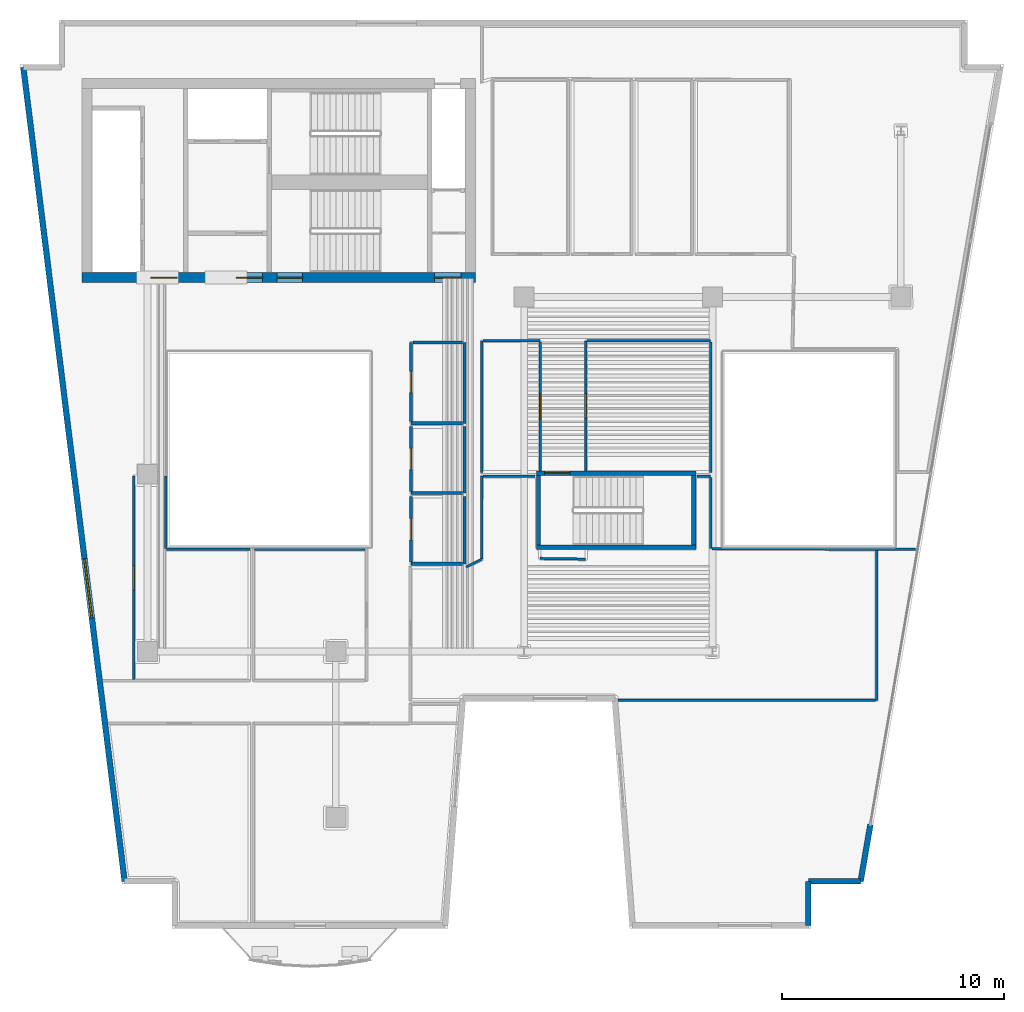
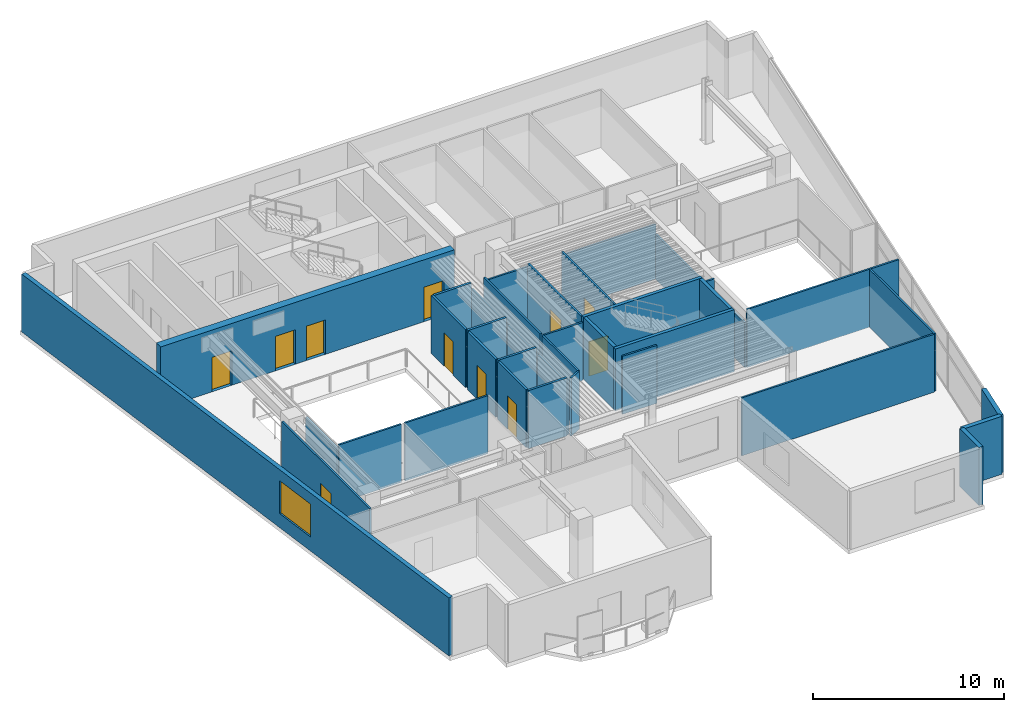
# One storey, part 4 of 9: 38 walls, 11 doors, 1 window, 12 openings.
"""IFC4 building model written with IfcOpenShell, lengths in metres."""

import ifcopenshell
import ifcopenshell.guid

model = None  # the IFC model being written
_history = None  # IfcOwnerHistory: only IFC2X3 demands one
_inside = {}  # id of a spatial element -> (the spatial element, [elements in it])
_under = {}  # id of a project, library or spatial element -> (it, [spatial elements below it])
_declared = {}  # id of a project -> (the project, [libraries it declares])
_typed = {}  # id of a type object -> (the type object, [elements of that type])
_made_of = {}  # id of a material, layer set ... -> (it, [elements and type objects made of it])


def new_model(schema):
    """Start an empty IFC model of exactly this schema.

    Asked for "IFC4X3", IfcOpenShell would pick the latest addendum, in which some entities
    have other attributes; the version numbers below select the first issue.
    IFC2X3 requires an IfcOwnerHistory on every rooted entity: one is made here for all.
    """
    global model, _history
    if schema == "IFC4X3":
        model = ifcopenshell.file(schema_version=(4, 3, 0, 0))
    else:
        model = ifcopenshell.file(schema=schema)
    _inside.clear()
    _under.clear()
    _declared.clear()
    _typed.clear()
    _made_of.clear()
    _history = None
    if model.schema == "IFC2X3":
        org = make("IfcOrganization", Name="unknown")
        user = make(
            "IfcPersonAndOrganization",
            ThePerson=make("IfcPerson", FamilyName="unknown"),
            TheOrganization=org,
        )
        app = make(
            "IfcApplication",
            ApplicationDeveloper=org,
            Version="unknown",
            ApplicationFullName="unknown",
            ApplicationIdentifier="unknown",
        )
        _history = make(
            "IfcOwnerHistory",
            OwningUser=user,
            OwningApplication=app,
            ChangeAction="ADDED",
            CreationDate=0,
        )
    return model


def make(cls, **values):
    """One entity of the class cls with the attributes given. An attribute that is None is left unset."""
    return model.create_entity(
        cls, **{name: value for name, value in values.items() if value is not None}
    )


def rooted(cls, **values):
    """An entity with a GlobalId (a new one), such as an element, a storey or a relation."""
    return make(cls, GlobalId=ifcopenshell.guid.new(), OwnerHistory=_history, **values)


def si_unit(unit_type, name, prefix=None):
    """IfcSIUnit, for example si_unit("LENGTHUNIT", "METRE", prefix="MILLI")."""
    return make("IfcSIUnit", UnitType=unit_type, Prefix=prefix, Name=name)


def assignment(units):
    """IfcUnitAssignment: the units of a project."""
    return None if units is None else make("IfcUnitAssignment", Units=units)


def point(xyz):
    """IfcCartesianPoint."""
    return None if xyz is None else make("IfcCartesianPoint", Coordinates=xyz)


def direction(xyz):
    """IfcDirection."""
    return None if xyz is None else make("IfcDirection", DirectionRatios=xyz)


def frame(location, z_axis=None, x_axis=None):
    """IfcAxis2Placement3D, a coordinate frame: its origin and axes. An axis left out is left unset."""
    return make(
        "IfcAxis2Placement3D",
        Location=point(location),
        Axis=direction(z_axis),
        RefDirection=direction(x_axis),
    )


def frame_2d(location, x_axis=None):
    """IfcAxis2Placement2D, a coordinate frame in the plane: its origin and x axis."""
    return make(
        "IfcAxis2Placement2D", Location=point(location), RefDirection=direction(x_axis)
    )


def origin():
    """The frame at (0, 0, 0) with its axes left unset."""
    return frame((0.0, 0.0, 0.0))


def place(relative_to, where):
    """IfcLocalPlacement: puts the frame where relative to a parent placement (None: the world)."""
    return make(
        "IfcLocalPlacement", PlacementRelTo=relative_to, RelativePlacement=where
    )


def context(
    kind, dimensions, precision=None, world=None, true_north=None, identifier=None
):
    """IfcGeometricRepresentationContext, for example the 3D "Model" context."""
    return make(
        "IfcGeometricRepresentationContext",
        ContextIdentifier=identifier,
        ContextType=kind,
        CoordinateSpaceDimension=dimensions,
        Precision=precision,
        WorldCoordinateSystem=world,
        TrueNorth=true_north,
    )


def subcontext(parent, identifier, kind, view, scale=None):
    """IfcGeometricRepresentationSubContext, for example "Body" below "Model"."""
    return make(
        "IfcGeometricRepresentationSubContext",
        ContextIdentifier=identifier,
        ContextType=kind,
        ParentContext=parent,
        TargetScale=scale,
        TargetView=view,
    )


def project(units=None, contexts=None):
    """IfcProject with its units and contexts."""
    return rooted(
        "IfcProject",
        Name="project",
        RepresentationContexts=contexts,
        UnitsInContext=assignment(units),
    )


def spatial(cls, under=None, at=None, **own):
    """A site, building, storey or space (cls), placed at a placement, below another one or the project."""
    s = rooted(cls, ObjectPlacement=at, **own)
    if under is not None:
        _under.setdefault(under.id(), (under, []))[1].append(s)
    return s


def profile(cls, at=None, kind="AREA", **sizes):
    """A parametric profile (cls). Its sizes go by their IFC names, for example OverallWidth=200.0."""
    return make(cls, ProfileType=kind, Position=at, **sizes)


def rectangle(**sizes):
    """IfcRectangleProfileDef."""
    return profile("IfcRectangleProfileDef", **sizes)


def extrude(swept, where, along, depth):
    """IfcExtrudedAreaSolid: the profile swept, set in the frame where, extruded along a direction by depth."""
    return make(
        "IfcExtrudedAreaSolid",
        SweptArea=swept,
        Position=where,
        ExtrudedDirection=direction(along),
        Depth=depth,
    )


def shape(context_of_items, identifier, shape_type, items):
    """IfcShapeRepresentation: the items that make up one representation, for example the "Body"."""
    return make(
        "IfcShapeRepresentation",
        ContextOfItems=context_of_items,
        RepresentationIdentifier=identifier,
        RepresentationType=shape_type,
        Items=items,
    )


def material(Name=None, Category=None):
    """IfcMaterial."""
    return make("IfcMaterial", Name=Name, Category=Category)


def layer(
    of_material, thickness, ventilated=None, Name=None, Category=None, Priority=None
):
    """IfcMaterialLayer: one layer of a wall or slab, of a material (None: an air gap)."""
    return make(
        "IfcMaterialLayer",
        Material=of_material,
        LayerThickness=thickness,
        IsVentilated=ventilated,
        Name=Name,
        Category=Category,
        Priority=Priority,
    )


def layer_set(layers, Name=None):
    """IfcMaterialLayerSet."""
    return make("IfcMaterialLayerSet", MaterialLayers=layers, LayerSetName=Name)


def made_of(thing, what):
    """Note that an element or type object is made of a material, layer set ...; save() writes the relation."""
    if what is not None:
        _made_of.setdefault(what.id(), (what, []))[1].append(thing)
    return thing


def type_object(cls, material=None, **own):
    """A type object (cls), such as IfcWallType, which elements share."""
    return made_of(rooted(cls, **own), material)


def element(
    cls,
    number,
    at=None,
    inside=None,
    cuts=None,
    type_object=None,
    material=None,
    context=None,
    identifier="Body",
    shape_type=None,
    held_by="IfcProductDefinitionShape",
    body=None,
    shapes=None,
    **own,
):
    """One element of the class cls, such as IfcWall. Its Tag is "e" and its number.

    at: its placement. inside: the storey or other place that contains it. cuts: it is an
    opening in that element (IfcRelVoidsElement). A single representation is given by context,
    identifier, shape_type and body (its items); several are given by shapes. held_by: the class
    of the entity that holds the representations. save() writes the other relations.
    """
    e = rooted(cls, Tag="e%d" % number, ObjectPlacement=at, **own)
    if body is not None:
        shapes = [shape(context, identifier, shape_type, body)]
    if shapes is not None:
        e.Representation = make(held_by, Representations=shapes)
    if inside is not None:
        _inside.setdefault(inside.id(), (inside, []))[1].append(e)
    if cuts is not None:
        rooted(
            "IfcRelVoidsElement", RelatingBuildingElement=cuts, RelatedOpeningElement=e
        )
    if type_object is not None:
        _typed.setdefault(type_object.id(), (type_object, []))[1].append(e)
    return made_of(e, material)


def fill(opening, filler):
    """IfcRelFillsElement: the door or window that sits in an opening."""
    return rooted(
        "IfcRelFillsElement",
        RelatingOpeningElement=opening,
        RelatedBuildingElement=filler,
    )


def aggregate(whole, parts):
    """IfcRelAggregates: a whole, such as a stair, and the parts it consists of."""
    return rooted("IfcRelAggregates", RelatingObject=whole, RelatedObjects=parts)


def save(model, path):
    """Write the relations noted so far, then the file.

    IfcRelAggregates (storeys below a building ...), IfcRelContainedInSpatialStructure (elements
    in a storey), IfcRelDefinesByType, IfcRelAssociatesMaterial and IfcRelDeclares: one each for
    every whole, place, type object, material and project.
    """
    for whole, parts in _under.values():
        aggregate(whole, parts)
    for where, things in _inside.values():
        rooted(
            "IfcRelContainedInSpatialStructure",
            RelatedElements=things,
            RelatingStructure=where,
        )
    for kind, things in _typed.values():
        rooted("IfcRelDefinesByType", RelatedObjects=things, RelatingType=kind)
    for what, things in _made_of.values():
        rooted("IfcRelAssociatesMaterial", RelatedObjects=things, RelatingMaterial=what)
    for by, libraries in _declared.values():
        rooted("IfcRelDeclares", RelatingContext=by, RelatedDefinitions=libraries)
    model.write(path)


model = new_model("IFC4")

# Units and contexts
model_context = context("Model", 3, precision=1e-05, world=origin(), true_north=direction((0.0, 1.0)))
body_context = subcontext(model_context, "Body", "Model", "MODEL_VIEW")
ifc_project = project(units=[si_unit("LENGTHUNIT", "METRE"), si_unit("AREAUNIT", "SQUARE_METRE"), si_unit("VOLUMEUNIT", "CUBIC_METRE"), si_unit("PLANEANGLEUNIT", "RADIAN"), si_unit("MASSUNIT", "GRAM", prefix="KILO")], contexts=[model_context])

# Site, building, storey
site_placement = place(None, origin())
site = spatial("IfcSite", under=ifc_project, at=site_placement, CompositionType="ELEMENT")
building_placement = place(site_placement, origin())
building = spatial("IfcBuilding", under=site, at=building_placement, Name="Caeloran Harvest Quay", CompositionType="ELEMENT")
storey_placement = place(building_placement, frame((0.0, 0.0, 199.550048828125)))
storey = spatial("IfcBuildingStorey", under=building, at=storey_placement, Name="L47", CompositionType="ELEMENT", Elevation=199.550048828125)

# Wall, opening, window
ifc_material_1 = material(Name="Precast concrete C50/60", Category="concrete")
ifc_layer_1 = layer(ifc_material_1, 0.260009765625, Name="Precast concrete C50/60")
ifc_layer_set_1 = layer_set([ifc_layer_1], Name="Precast concrete C50/60")
wall_type_1 = type_object("IfcWallType", Name="ENV-WALL-EW-260", PredefinedType="STANDARD", material=ifc_layer_set_1)
wall_1_placement = place(storey_placement, frame((7.468994140625, 4.6298828125, 0.0), z_axis=(0.0, 0.0, 1.0), x_axis=(-0.123515300309, 0.992342667928, 0.0)))
wall_1 = element("IfcWall", 1, at=wall_1_placement, inside=storey, type_object=wall_type_1, Name="L47 Exterior Precast Concrete Facade Wall 3", PredefinedType="STANDARD", context=body_context, shape_type="SweptSolid", body=[
    extrude(rectangle(XDim=37.023681640625, YDim=0.260009765625, at=frame_2d((18.51171875, 0.0))), origin(), (0.0, 0.0, 1.0), 3.699951171875),
])
opening_1_placement = place(wall_1_placement, frame((11.97802734375, 0.0, 0.89990234375)))
opening_1 = element("IfcOpeningElement", 2, at=opening_1_placement, cuts=wall_1, Name="Opening W-07", PredefinedType="OPENING", context=body_context, shape_type="SweptSolid", body=[
    extrude(rectangle(XDim=2.699951171875, YDim=2.10009765625, at=frame_2d((1.35009765625, 1.050048828125))), frame((0.0, 0.14013671875, 0.0), z_axis=(0.0, -1.0, 0.0), x_axis=(1.0, 0.0, 0.0)), (0.0, 0.0, 1.0), 0.280029296875),
])
ifc_material_2 = material(Name="Aluminium-Framed Low-E Laminated Glass", Category="aluminium")
window_type = type_object("IfcWindowType", Name="WIN-W-07", PartitioningType="DOUBLE_PANEL_VERTICAL", PredefinedType="WINDOW", material=ifc_material_2)
window_placement = place(opening_1_placement, origin())
window = element("IfcWindow", 3, at=window_placement, inside=storey, type_object=window_type, Name="L47 Facade Punched Window W-07", OverallHeight=2.10009765625, OverallWidth=2.699951171875, PartitioningType="DOUBLE_PANEL_VERTICAL", PredefinedType="WINDOW", context=body_context, shape_type="SweptSolid", body=[
    extrude(rectangle(XDim=2.699951171875, YDim=2.10009765625, at=frame_2d((1.35009765625, 1.050048828125))), frame((0.0, 0.030029296875, 0.0), z_axis=(0.0, -1.0, 0.0), x_axis=(1.0, 0.0, 0.0)), (0.0, 0.0, 1.0), 0.06005859375),
])
fill(opening_1, window)

# Walls
wall_2_placement = place(storey_placement, frame((41.127685546875, 7.1923828125, 0.0), z_axis=(0.0, 0.0, 1.0), x_axis=(-0.169391215599, -0.98554889076, 0.0)))
element("IfcWall", 4, at=wall_2_placement, inside=storey, type_object=wall_type_1, Name="L47 Exterior Facade Corner Pier Wall 9B", PredefinedType="STANDARD", context=body_context, shape_type="SweptSolid", body=[
    extrude(rectangle(XDim=2.60009765625, YDim=0.260009765625, at=frame_2d((1.300048828125, 0.0))), origin(), (0.0, 0.0, 1.0), 3.699951171875),
])
wall_3_placement = place(storey_placement, frame((40.687255859375, 4.6298828125, 0.0), z_axis=(0.0, 0.0, 1.0), x_axis=(-1.0, 0.0, 0.0)))
element("IfcWall", 5, at=wall_3_placement, inside=storey, type_object=wall_type_1, Name="L47 Exterior Precast Concrete Facade Wall 10", PredefinedType="STANDARD", context=body_context, shape_type="SweptSolid", body=[
    extrude(rectangle(XDim=2.3642578125, YDim=0.260009765625, at=frame_2d((1.18212890625, 0.0))), origin(), (0.0, 0.0, 1.0), 3.699951171875),
])
wall_4_placement = place(storey_placement, frame((38.322998046875, 4.6298828125, 0.0), z_axis=(0.0, 0.0, 1.0), x_axis=(0.0, -1.0, 0.0)))
element("IfcWall", 6, at=wall_4_placement, inside=storey, type_object=wall_type_1, Name="L47 Exterior Precast Concrete Facade Wall 11", PredefinedType="STANDARD", context=body_context, shape_type="SweptSolid", body=[
    extrude(rectangle(XDim=2.0, YDim=0.260009765625, at=frame_2d((1.0, 0.0))), origin(), (0.0, 0.0, 1.0), 3.699951171875),
])
ifc_material_3 = material(Name="Single-Stud Acoustic Gypsum Office Partition", Category="gypsum")
ifc_layer_2 = layer(ifc_material_3, 0.112060546875, Name="Single-Stud Acoustic Gypsum Office Partition")
ifc_layer_set_2 = layer_set([ifc_layer_2], Name="Single-Stud Acoustic Gypsum Office Partition")
wall_type_2 = type_object("IfcWallType", Name="INT-WALL-PW-112", PredefinedType="PARTITIONING", material=ifc_layer_set_2)
wall_5_placement = place(storey_placement, frame((33.310791015625, 22.919921875, 0.0), z_axis=(0.0, 0.0, 1.0), x_axis=(1.0, 0.0, 0.0)))
element("IfcWall", 7, at=wall_5_placement, inside=storey, type_object=wall_type_2, Name="Corporate Legal Counsel Office Partition Wall", PredefinedType="PARTITIONING", context=body_context, shape_type="SweptSolid", body=[
    extrude(rectangle(XDim=0.609130859375, YDim=0.112060546875, at=frame_2d((0.3046875, 0.0))), origin(), (0.0, 0.0, 1.0), 3.699951171875),
])
wall_6_placement = place(storey_placement, frame((33.919921875, 22.85888671875, 0.0), z_axis=(0.0, 0.0, 1.0), x_axis=(0.0, -1.0, 0.0)))
element("IfcWall", 8, at=wall_6_placement, inside=storey, type_object=wall_type_2, Name="Corporate Legal Counsel Office Partition Wall", PredefinedType="PARTITIONING", context=body_context, shape_type="SweptSolid", body=[
    extrude(rectangle(XDim=3.218994140625, YDim=0.112060546875, at=frame_2d((1.609375, 0.0))), origin(), (0.0, 0.0, 1.0), 2.885009765625),
])
wall_7_placement = place(storey_placement, frame((33.98095703125, 19.639892578125, 0.0), z_axis=(0.0, 0.0, 1.0), x_axis=(0.999996388808, -0.002687447056, 0.0)))
element("IfcWall", 9, at=wall_7_placement, inside=storey, type_object=wall_type_2, Name="Corporate Legal Counsel Office Partition Wall", PredefinedType="PARTITIONING", context=body_context, shape_type="SweptSolid", body=[
    extrude(rectangle(XDim=9.17529296875, YDim=0.112060546875, at=frame_2d((4.587646484375, 0.0))), origin(), (0.0, 0.0, 1.0), 3.699951171875),
])
wall_8_placement = place(storey_placement, frame((41.419921875, 19.558837890625, 0.0), z_axis=(0.0, 0.0, 1.0), x_axis=(0.0, -1.0, 0.0)))
element("IfcWall", 10, at=wall_8_placement, inside=storey, type_object=wall_type_2, Name="Corporate Legal Counsel Office Partition Wall", PredefinedType="PARTITIONING", context=body_context, shape_type="SweptSolid", body=[
    extrude(rectangle(XDim=6.7587890625, YDim=0.112060546875, at=frame_2d((3.37939453125, 0.0))), origin(), (0.0, 0.0, 1.0), 3.699951171875),
])
wall_9_placement = place(storey_placement, frame((41.35888671875, 12.800048828125, 0.0), z_axis=(0.0, 0.0, 1.0), x_axis=(-1.0, 0.0, 0.0)))
element("IfcWall", 11, at=wall_9_placement, inside=storey, type_object=wall_type_2, Name="Corporate Legal Counsel Office Partition Wall", PredefinedType="PARTITIONING", context=body_context, shape_type="SweptSolid", body=[
    extrude(rectangle(XDim=11.62744140625, YDim=0.112060546875, at=frame_2d((5.813720703125, 0.0))), origin(), (0.0, 0.0, 1.0), 3.699951171875),
])
wall_10_placement = place(storey_placement, frame((22.883056640625, 18.81005859375, 0.0), z_axis=(0.0, 0.0, 1.0), x_axis=(0.893737436086, 0.448590453909, 0.0)))
element("IfcWall", 12, at=wall_10_placement, inside=storey, type_object=wall_type_2, Name="Corporate Legal Counsel Office Partition Wall", PredefinedType="PARTITIONING", context=body_context, shape_type="SweptSolid", body=[
    extrude(rectangle(XDim=0.77978515625, YDim=0.112060546875, at=frame_2d((0.389892578125, 0.0))), origin(), (0.0, 0.0, 1.0), 3.699951171875),
])
wall_11_placement = place(storey_placement, frame((23.580078125, 19.171142578125, 0.0), z_axis=(0.0, 0.0, 1.0), x_axis=(0.0, 1.0, 0.0)))
element("IfcWall", 13, at=wall_11_placement, inside=storey, type_object=wall_type_2, Name="Corporate Legal Counsel Office Partition Wall", PredefinedType="PARTITIONING", context=body_context, shape_type="SweptSolid", body=[
    extrude(rectangle(XDim=3.748779296875, YDim=0.112060546875, at=frame_2d((1.87451171875, 0.0))), origin(), (0.0, 0.0, 1.0), 3.699951171875),
])
wall_12_placement = place(storey_placement, frame((23.64111328125, 22.919921875, 0.0), z_axis=(0.0, 0.0, 1.0), x_axis=(1.0, 0.0, 0.0)))
element("IfcWall", 14, at=wall_12_placement, inside=storey, type_object=wall_type_2, Name="Corporate Legal Counsel Office Partition Wall", PredefinedType="PARTITIONING", context=body_context, shape_type="SweptSolid", body=[
    extrude(rectangle(XDim=2.347900390625, YDim=0.112060546875, at=frame_2d((1.173828125, 0.0))), origin(), (0.0, 0.0, 1.0), 3.699951171875),
])
wall_13_placement = place(storey_placement, frame((26.219970703125, 19.199951171875, 0.0), z_axis=(0.0, 0.0, 1.0), x_axis=(0.999893773718, -0.014575365509, 0.0)))
element("IfcWall", 15, at=wall_13_placement, inside=storey, type_object=wall_type_2, Name="Corporate Legal Counsel Office Partition Wall", PredefinedType="PARTITIONING", context=body_context, shape_type="SweptSolid", body=[
    extrude(rectangle(XDim=2.060302734375, YDim=0.112060546875, at=frame_2d((1.0302734375, 0.0))), origin(), (0.0, 0.0, 1.0), 3.699951171875),
])
wall_14_placement = place(storey_placement, frame((13.341064453125, 19.6201171875, 0.0), z_axis=(0.0, 0.0, 1.0), x_axis=(1.0, 0.0, 0.0)))
element("IfcWall", 16, at=wall_14_placement, inside=storey, type_object=wall_type_2, Name="Executive Partner Office Partition Wall", PredefinedType="PARTITIONING", context=body_context, shape_type="SweptSolid", body=[
    extrude(rectangle(XDim=4.988037109375, YDim=0.112060546875, at=frame_2d((2.494140625, 0.0))), origin(), (0.0, 0.0, 1.0), 3.699951171875),
])
wall_15_placement = place(storey_placement, frame((9.35009765625, 19.6201171875, 0.0), z_axis=(0.0, 0.0, 1.0), x_axis=(1.0, 0.0, 0.0)))
element("IfcWall", 17, at=wall_15_placement, inside=storey, type_object=wall_type_2, Name="Client Pitch Conference Room Partition Wall", PredefinedType="PARTITIONING", context=body_context, shape_type="SweptSolid", body=[
    extrude(rectangle(XDim=3.77001953125, YDim=0.112060546875, at=frame_2d((1.885009765625, 0.0))), origin(), (0.0, 0.0, 1.0), 3.699951171875),
])

# Wall, opening, door
wall_16_placement = place(storey_placement, frame((7.8798828125, 13.740966796875, 0.0), z_axis=(0.0, 0.0, 1.0), x_axis=(0.0, 1.0, 0.0)))
wall_16 = element("IfcWall", 18, at=wall_16_placement, inside=storey, type_object=wall_type_2, Name="Client Pitch Conference Room Partition Wall", PredefinedType="PARTITIONING", context=body_context, shape_type="SweptSolid", body=[
    extrude(rectangle(XDim=9.178955078125, YDim=0.112060546875, at=frame_2d((4.58935546875, 0.0))), origin(), (0.0, 0.0, 1.0), 3.699951171875),
])
opening_2_placement = place(wall_16_placement, frame((4.03955078125, 0.0, 0.0)))
opening_2 = element("IfcOpeningElement", 19, at=opening_2_placement, cuts=wall_16, Name="Opening ID-04", PredefinedType="OPENING", context=body_context, shape_type="SweptSolid", body=[
    extrude(rectangle(XDim=1.10009765625, YDim=2.199951171875, at=frame_2d((0.550048828125, 1.10009765625))), frame((0.0, 0.06591796875, 0.0), z_axis=(0.0, -1.0, 0.0), x_axis=(1.0, 0.0, 0.0)), (0.0, 0.0, 1.0), 0.132080078125),
])
ifc_material_4 = material(Name="Acoustic Walnut Veneer Executive Door", Category="wood")
door_type_1 = type_object("IfcDoorType", Name="INTDOOR-ID-04", OperationType="NOTDEFINED", PredefinedType="DOOR", material=ifc_material_4)
door_1_placement = place(opening_2_placement, origin())
door_1 = element("IfcDoor", 20, at=door_1_placement, inside=storey, type_object=door_type_1, Name="Client Pitch Conference Room Access Door", OperationType="SINGLE_SWING_LEFT", OverallHeight=2.199951171875, OverallWidth=1.10009765625, PredefinedType="DOOR", context=body_context, shape_type="SweptSolid", body=[
    extrude(rectangle(XDim=1.10009765625, YDim=2.199951171875, at=frame_2d((0.550048828125, 1.10009765625))), frame((0.0, 0.02490234375, 0.0), z_axis=(0.0, -1.0, 0.0), x_axis=(1.0, 0.0, 0.0)), (0.0, 0.0, 1.0), 0.050048828125),
])
fill(opening_2, door_1)

# Walls
wall_17_placement = place(storey_placement, frame((9.320068359375, 22.919921875, 0.0), z_axis=(0.0, 0.0, 1.0), x_axis=(0.0, -1.0, 0.0)))
element("IfcWall", 21, at=wall_17_placement, inside=storey, type_object=wall_type_2, Name="Client Pitch Conference Room Partition Wall", PredefinedType="PARTITIONING", context=body_context, shape_type="SweptSolid", body=[
    extrude(rectangle(XDim=3.27001953125, YDim=0.112060546875, at=frame_2d((1.635009765625, 0.0))), origin(), (0.0, 0.0, 1.0), 3.48486328125),
])
wall_18_placement = place(storey_placement, frame((23.580078125, 23.080078125, 0.0), z_axis=(0.0, 0.0, 1.0), x_axis=(0.0, 1.0, 0.0)))
element("IfcWall", 22, at=wall_18_placement, inside=storey, type_object=wall_type_2, Name="Interview Meeting Room Partition Wall", PredefinedType="PARTITIONING", context=body_context, shape_type="SweptSolid", body=[
    extrude(rectangle(XDim=5.93994140625, YDim=0.112060546875, at=frame_2d((2.969970703125, 0.0))), origin(), (0.0, 0.0, 1.0), 3.699951171875),
])
wall_19_placement = place(storey_placement, frame((23.64111328125, 29.02001953125, 0.0), z_axis=(0.0, 0.0, 1.0), x_axis=(1.0, 0.0, 0.0)))
element("IfcWall", 23, at=wall_19_placement, inside=storey, type_object=wall_type_2, Name="Interview Meeting Room Partition Wall", PredefinedType="PARTITIONING", context=body_context, shape_type="SweptSolid", body=[
    extrude(rectangle(XDim=2.578857421875, YDim=0.112060546875, at=frame_2d((1.28955078125, 0.0))), origin(), (0.0, 0.0, 1.0), 3.48486328125),
])

# Wall, opening, door
wall_20_placement = place(storey_placement, frame((26.219970703125, 28.958984375, 0.0), z_axis=(0.0, 0.0, 1.0), x_axis=(0.0, -1.0, 0.0)))
wall_20 = element("IfcWall", 24, at=wall_20_placement, inside=storey, type_object=wall_type_2, Name="Interview Meeting Room Partition Wall", PredefinedType="PARTITIONING", context=body_context, shape_type="SweptSolid", body=[
    extrude(rectangle(XDim=5.803955078125, YDim=0.112060546875, at=frame_2d((2.90185546875, 0.0))), origin(), (0.0, 0.0, 1.0), 3.699951171875),
])
opening_3_placement = place(wall_20_placement, frame((2.35205078125, 0.0, 0.0)))
opening_3 = element("IfcOpeningElement", 25, at=opening_3_placement, cuts=wall_20, Name="Opening ID-04", PredefinedType="OPENING", context=body_context, shape_type="SweptSolid", body=[
    extrude(rectangle(XDim=1.10009765625, YDim=2.199951171875, at=frame_2d((0.550048828125, 1.10009765625))), frame((0.0, 0.06591796875, 0.0), z_axis=(0.0, -1.0, 0.0), x_axis=(1.0, 0.0, 0.0)), (0.0, 0.0, 1.0), 0.132080078125),
])
door_2_placement = place(opening_3_placement, origin())
door_2 = element("IfcDoor", 26, at=door_2_placement, inside=storey, type_object=door_type_1, Name="Interview Meeting Room Access Door", OperationType="SINGLE_SWING_RIGHT", OverallHeight=2.199951171875, OverallWidth=1.10009765625, PredefinedType="DOOR", context=body_context, shape_type="SweptSolid", body=[
    extrude(rectangle(XDim=1.10009765625, YDim=2.199951171875, at=frame_2d((0.550048828125, 1.10009765625))), frame((0.0, 0.02490234375, 0.0), z_axis=(0.0, -1.0, 0.0), x_axis=(1.0, 0.0, 0.0)), (0.0, 0.0, 1.0), 0.050048828125),
])
fill(opening_3, door_2)

wall_21_placement = place(storey_placement, frame((28.280029296875, 23.155029296875, 0.0), z_axis=(0.0, 0.0, 1.0), x_axis=(0.0, 1.0, 0.0)))
wall_21 = element("IfcWall", 27, at=wall_21_placement, inside=storey, type_object=wall_type_2, Name="Staff Tea Kitchen Partition Wall", PredefinedType="PARTITIONING", context=body_context, shape_type="SweptSolid", body=[
    extrude(rectangle(XDim=5.864990234375, YDim=0.112060546875, at=frame_2d((2.9326171875, 0.0))), origin(), (0.0, 0.0, 1.0), 3.699951171875),
])
opening_4_placement = place(wall_21_placement, frame((2.382568359375, 0.0, 0.0)))
opening_4 = element("IfcOpeningElement", 28, at=opening_4_placement, cuts=wall_21, Name="Opening ID-04", PredefinedType="OPENING", context=body_context, shape_type="SweptSolid", body=[
    extrude(rectangle(XDim=1.10009765625, YDim=2.199951171875, at=frame_2d((0.550048828125, 1.10009765625))), frame((0.0, 0.06591796875, 0.0), z_axis=(0.0, -1.0, 0.0), x_axis=(1.0, 0.0, 0.0)), (0.0, 0.0, 1.0), 0.132080078125),
])
door_3_placement = place(opening_4_placement, origin())
door_3 = element("IfcDoor", 29, at=door_3_placement, inside=storey, type_object=door_type_1, Name="Staff Tea Kitchen Access Door", OperationType="SINGLE_SWING_LEFT", OverallHeight=2.199951171875, OverallWidth=1.10009765625, PredefinedType="DOOR", context=body_context, shape_type="SweptSolid", body=[
    extrude(rectangle(XDim=1.10009765625, YDim=2.199951171875, at=frame_2d((0.550048828125, 1.10009765625))), frame((0.0, 0.02490234375, 0.0), z_axis=(0.0, -1.0, 0.0), x_axis=(1.0, 0.0, 0.0)), (0.0, 0.0, 1.0), 0.050048828125),
])
fill(opening_4, door_3)

# Walls
wall_22_placement = place(storey_placement, frame((28.341064453125, 29.02001953125, 0.0), z_axis=(0.0, 0.0, 1.0), x_axis=(1.0, 0.0, 0.0)))
element("IfcWall", 30, at=wall_22_placement, inside=storey, type_object=wall_type_2, Name="Staff Tea Kitchen Partition Wall", PredefinedType="PARTITIONING", context=body_context, shape_type="SweptSolid", body=[
    extrude(rectangle(XDim=5.578857421875, YDim=0.112060546875, at=frame_2d((2.78955078125, 0.0))), origin(), (0.0, 0.0, 1.0), 3.48486328125),
])
wall_23_placement = place(storey_placement, frame((33.919921875, 28.958984375, 0.0), z_axis=(0.0, 0.0, 1.0), x_axis=(0.0, -1.0, 0.0)))
element("IfcWall", 31, at=wall_23_placement, inside=storey, type_object=wall_type_2, Name="Staff Tea Kitchen Partition Wall", PredefinedType="PARTITIONING", context=body_context, shape_type="SweptSolid", body=[
    extrude(rectangle(XDim=5.87890625, YDim=0.112060546875, at=frame_2d((2.939453125, 0.0))), origin(), (0.0, 0.0, 1.0), 2.885009765625),
])
ifc_material_5 = material(Name="Moisture-Resistant Cement-Board Sanitary Partition", Category="gypsum")
ifc_layer_3 = layer(ifc_material_5, 0.139892578125, Name="Moisture-Resistant Cement-Board Sanitary Partition")
ifc_layer_set_3 = layer_set([ifc_layer_3], Name="Moisture-Resistant Cement-Board Sanitary Partition")
wall_type_3 = type_object("IfcWallType", Name="INT-WALL-PW-140", PredefinedType="PARTITIONING", material=ifc_layer_set_3)
wall_24_placement = place(storey_placement, frame((22.800048828125, 28.949951171875, 0.0), z_axis=(0.0, 0.0, 1.0), x_axis=(0.0, -1.0, 0.0)))
element("IfcWall", 32, at=wall_24_placement, inside=storey, type_object=wall_type_3, Name="L47 Male Washroom WC Partition Wall", PredefinedType="PARTITIONING", context=body_context, shape_type="SweptSolid", body=[
    extrude(rectangle(XDim=3.64990234375, YDim=0.139892578125, at=frame_2d((1.824951171875, 0.0))), origin(), (0.0, 0.0, 1.0), 3.284912109375),
])
wall_25_placement = place(storey_placement, frame((22.72509765625, 25.300048828125, 0.0), z_axis=(0.0, 0.0, 1.0), x_axis=(-1.0, 0.0, 0.0)))
element("IfcWall", 33, at=wall_25_placement, inside=storey, type_object=wall_type_3, Name="L47 Male Washroom WC Partition Wall", PredefinedType="PARTITIONING", context=body_context, shape_type="SweptSolid", body=[
    extrude(rectangle(XDim=2.3251953125, YDim=0.139892578125, at=frame_2d((1.16259765625, 0.0))), origin(), (0.0, 0.0, 1.0), 3.699951171875),
])

# Wall, opening, door
wall_26_placement = place(storey_placement, frame((20.39990234375, 25.375, 0.0), z_axis=(0.0, 0.0, 1.0), x_axis=(0.0, 1.0, 0.0)))
wall_26 = element("IfcWall", 34, at=wall_26_placement, inside=storey, type_object=wall_type_3, Name="L47 Male Washroom WC Partition Wall", PredefinedType="PARTITIONING", context=body_context, shape_type="SweptSolid", body=[
    extrude(rectangle(XDim=3.574951171875, YDim=0.139892578125, at=frame_2d((1.78759765625, 0.0))), origin(), (0.0, 0.0, 1.0), 3.699951171875),
])
opening_5_placement = place(wall_26_placement, frame((1.3125, 0.0, 0.0)))
opening_5 = element("IfcOpeningElement", 35, at=opening_5_placement, cuts=wall_26, Name="Opening WC-01", PredefinedType="OPENING", context=body_context, shape_type="SweptSolid", body=[
    extrude(rectangle(XDim=0.949951171875, YDim=2.14990234375, at=frame_2d((0.47509765625, 1.074951171875))), frame((0.0, 0.080078125, 0.0), z_axis=(0.0, -1.0, 0.0), x_axis=(1.0, 0.0, 0.0)), (0.0, 0.0, 1.0), 0.159912109375),
])
ifc_material_6 = material(Name="High-Pressure Laminate Moisture-Resistant Timber", Category="wood")
door_type_2 = type_object("IfcDoorType", Name="INTDOOR-WC-01", OperationType="NOTDEFINED", PredefinedType="DOOR", material=ifc_material_6)
door_4_placement = place(opening_5_placement, origin())
door_4 = element("IfcDoor", 36, at=door_4_placement, inside=storey, type_object=door_type_2, Name="L47 Male Washroom WC Access Door", OperationType="SINGLE_SWING_RIGHT", OverallHeight=2.14990234375, OverallWidth=0.949951171875, PredefinedType="DOOR", context=body_context, shape_type="SweptSolid", body=[
    extrude(rectangle(XDim=0.949951171875, YDim=2.14990234375, at=frame_2d((0.47509765625, 1.074951171875))), frame((0.0, 0.02490234375, 0.0), z_axis=(0.0, -1.0, 0.0), x_axis=(1.0, 0.0, 0.0)), (0.0, 0.0, 1.0), 0.050048828125),
])
fill(opening_5, door_4)

# Walls
wall_27_placement = place(storey_placement, frame((20.47509765625, 28.949951171875, 0.0), z_axis=(0.0, 0.0, 1.0), x_axis=(1.0, 0.0, 0.0)))
element("IfcWall", 37, at=wall_27_placement, inside=storey, type_object=wall_type_3, Name="L47 Male Washroom WC Partition Wall", PredefinedType="PARTITIONING", context=body_context, shape_type="SweptSolid", body=[
    extrude(rectangle(XDim=2.25, YDim=0.139892578125, at=frame_2d((1.125, 0.0))), origin(), (0.0, 0.0, 1.0), 3.699951171875),
])
wall_28_placement = place(storey_placement, frame((22.800048828125, 25.14990234375, 0.0), z_axis=(0.0, 0.0, 1.0), x_axis=(0.0, -1.0, 0.0)))
element("IfcWall", 38, at=wall_28_placement, inside=storey, type_object=wall_type_3, Name="L47 Female Washroom WC Partition Wall", PredefinedType="PARTITIONING", context=body_context, shape_type="SweptSolid", body=[
    extrude(rectangle(XDim=3.0, YDim=0.139892578125, at=frame_2d((1.5, 0.0))), origin(), (0.0, 0.0, 1.0), 3.284912109375),
])
wall_29_placement = place(storey_placement, frame((22.72509765625, 22.14990234375, 0.0), z_axis=(0.0, 0.0, 1.0), x_axis=(-1.0, 0.0, 0.0)))
element("IfcWall", 39, at=wall_29_placement, inside=storey, type_object=wall_type_3, Name="L47 Female Washroom WC Partition Wall", PredefinedType="PARTITIONING", context=body_context, shape_type="SweptSolid", body=[
    extrude(rectangle(XDim=2.3251953125, YDim=0.139892578125, at=frame_2d((1.16259765625, 0.0))), origin(), (0.0, 0.0, 1.0), 3.699951171875),
])

# Wall, opening, door
wall_30_placement = place(storey_placement, frame((20.39990234375, 22.22509765625, 0.0), z_axis=(0.0, 0.0, 1.0), x_axis=(0.0, 1.0, 0.0)))
wall_30 = element("IfcWall", 40, at=wall_30_placement, inside=storey, type_object=wall_type_3, Name="L47 Female Washroom WC Partition Wall", PredefinedType="PARTITIONING", context=body_context, shape_type="SweptSolid", body=[
    extrude(rectangle(XDim=2.9248046875, YDim=0.139892578125, at=frame_2d((1.46240234375, 0.0))), origin(), (0.0, 0.0, 1.0), 3.699951171875),
])
opening_6_placement = place(wall_30_placement, frame((0.987548828125, 0.0, 0.0)))
opening_6 = element("IfcOpeningElement", 41, at=opening_6_placement, cuts=wall_30, Name="Opening WC-01", PredefinedType="OPENING", context=body_context, shape_type="SweptSolid", body=[
    extrude(rectangle(XDim=0.949951171875, YDim=2.14990234375, at=frame_2d((0.47509765625, 1.074951171875))), frame((0.0, 0.080078125, 0.0), z_axis=(0.0, -1.0, 0.0), x_axis=(1.0, 0.0, 0.0)), (0.0, 0.0, 1.0), 0.159912109375),
])
door_5_placement = place(opening_6_placement, origin())
door_5 = element("IfcDoor", 42, at=door_5_placement, inside=storey, type_object=door_type_2, Name="L47 Female Washroom WC Access Door", OperationType="SINGLE_SWING_LEFT", OverallHeight=2.14990234375, OverallWidth=0.949951171875, PredefinedType="DOOR", context=body_context, shape_type="SweptSolid", body=[
    extrude(rectangle(XDim=0.949951171875, YDim=2.14990234375, at=frame_2d((0.47509765625, 1.074951171875))), frame((0.0, 0.02490234375, 0.0), z_axis=(0.0, -1.0, 0.0), x_axis=(1.0, 0.0, 0.0)), (0.0, 0.0, 1.0), 0.050048828125),
])
fill(opening_6, door_5)

# Walls
wall_31_placement = place(storey_placement, frame((22.800048828125, 22.0, 0.0), z_axis=(0.0, 0.0, 1.0), x_axis=(0.0, -1.0, 0.0)))
element("IfcWall", 43, at=wall_31_placement, inside=storey, type_object=wall_type_3, Name="L47 Accessible Unisex Washroom WC Partition Wall", PredefinedType="PARTITIONING", context=body_context, shape_type="SweptSolid", body=[
    extrude(rectangle(XDim=3.0400390625, YDim=0.139892578125, at=frame_2d((1.52001953125, 0.0))), origin(), (0.0, 0.0, 1.0), 3.284912109375),
])
wall_32_placement = place(storey_placement, frame((22.72509765625, 18.9599609375, 0.0), z_axis=(0.0, 0.0, 1.0), x_axis=(-1.0, 0.0, 0.0)))
element("IfcWall", 44, at=wall_32_placement, inside=storey, type_object=wall_type_3, Name="L47 Accessible Unisex Washroom WC Partition Wall", PredefinedType="PARTITIONING", context=body_context, shape_type="SweptSolid", body=[
    extrude(rectangle(XDim=2.3251953125, YDim=0.139892578125, at=frame_2d((1.16259765625, 0.0))), origin(), (0.0, 0.0, 1.0), 3.699951171875),
])

# Wall, opening, door
wall_33_placement = place(storey_placement, frame((20.39990234375, 19.034912109375, 0.0), z_axis=(0.0, 0.0, 1.0), x_axis=(0.0, 1.0, 0.0)))
wall_33 = element("IfcWall", 45, at=wall_33_placement, inside=storey, type_object=wall_type_3, Name="L47 Accessible Unisex Washroom WC Partition Wall", PredefinedType="PARTITIONING", context=body_context, shape_type="SweptSolid", body=[
    extrude(rectangle(XDim=2.965087890625, YDim=0.139892578125, at=frame_2d((1.482421875, 0.0))), origin(), (0.0, 0.0, 1.0), 3.699951171875),
])
opening_7_placement = place(wall_33_placement, frame((1.007568359375, 0.0, 0.0)))
opening_7 = element("IfcOpeningElement", 46, at=opening_7_placement, cuts=wall_33, Name="Opening WC-01", PredefinedType="OPENING", context=body_context, shape_type="SweptSolid", body=[
    extrude(rectangle(XDim=0.949951171875, YDim=2.14990234375, at=frame_2d((0.47509765625, 1.074951171875))), frame((0.0, 0.080078125, 0.0), z_axis=(0.0, -1.0, 0.0), x_axis=(1.0, 0.0, 0.0)), (0.0, 0.0, 1.0), 0.159912109375),
])
door_6_placement = place(opening_7_placement, origin())
door_6 = element("IfcDoor", 47, at=door_6_placement, inside=storey, type_object=door_type_2, Name="L47 Accessible Unisex Washroom WC Access Door", OperationType="SINGLE_SWING_RIGHT", OverallHeight=2.14990234375, OverallWidth=0.949951171875, PredefinedType="DOOR", context=body_context, shape_type="SweptSolid", body=[
    extrude(rectangle(XDim=0.949951171875, YDim=2.14990234375, at=frame_2d((0.47509765625, 1.074951171875))), frame((0.0, 0.02490234375, 0.0), z_axis=(0.0, -1.0, 0.0), x_axis=(1.0, 0.0, 0.0)), (0.0, 0.0, 1.0), 0.050048828125),
])
fill(opening_7, door_6)

# Wall, openings, doors
ifc_material_7 = material(Name="Concrete C60/75", Category="concrete")
ifc_layer_4 = layer(ifc_material_7, 0.449951171875, Name="Concrete C60/75")
ifc_layer_set_4 = layer_set([ifc_layer_4], Name="Concrete C60/75")
wall_type_4 = type_object("IfcWallType", Name="STR-WALL-CW-450", PredefinedType="SHEAR", material=ifc_layer_set_4)
wall_34_placement = place(storey_placement, frame((5.550048828125, 31.875, 0.0), z_axis=(0.0, 0.0, 1.0), x_axis=(1.0, 0.0, 0.0)))
wall_34 = element("IfcWall", 48, at=wall_34_placement, inside=storey, type_object=wall_type_4, Name="L47 Rear Core Shear Wall S", PredefinedType="SHEAR", context=body_context, shape_type="SweptSolid", body=[
    extrude(rectangle(XDim=17.75, YDim=0.449951171875, at=frame_2d((8.875, 0.0))), origin(), (0.0, 0.0, 1.0), 3.949951171875),
])
opening_8_placement = place(wall_34_placement, frame((3.10009765625, 0.0, 0.0)))
opening_8 = element("IfcOpeningElement", 49, at=opening_8_placement, cuts=wall_34, Name="Opening FD-01", PredefinedType="OPENING", context=body_context, shape_type="SweptSolid", body=[
    extrude(rectangle(XDim=1.199951171875, YDim=2.199951171875, at=frame_2d((0.60009765625, 1.10009765625))), frame((0.0, 0.23486328125, 0.0), z_axis=(0.0, -1.0, 0.0), x_axis=(1.0, 0.0, 0.0)), (0.0, 0.0, 1.0), 0.469970703125),
])
opening_9_placement = place(wall_34_placement, frame((6.949951171875, 0.0, 0.0)))
opening_9 = element("IfcOpeningElement", 50, at=opening_9_placement, cuts=wall_34, Name="Opening FD-01", PredefinedType="OPENING", context=body_context, shape_type="SweptSolid", body=[
    extrude(rectangle(XDim=1.199951171875, YDim=2.199951171875, at=frame_2d((0.60009765625, 1.10009765625))), frame((0.0, 0.23486328125, 0.0), z_axis=(0.0, -1.0, 0.0), x_axis=(1.0, 0.0, 0.0)), (0.0, 0.0, 1.0), 0.469970703125),
])
opening_10_placement = place(wall_34_placement, frame((8.800048828125, 0.0, 0.0)))
opening_10 = element("IfcOpeningElement", 51, at=opening_10_placement, cuts=wall_34, Name="Opening SD-01", PredefinedType="OPENING", context=body_context, shape_type="SweptSolid", body=[
    extrude(rectangle(XDim=1.14990234375, YDim=2.199951171875, at=frame_2d((0.574951171875, 1.10009765625))), frame((0.0, 0.23486328125, 0.0), z_axis=(0.0, -1.0, 0.0), x_axis=(1.0, 0.0, 0.0)), (0.0, 0.0, 1.0), 0.469970703125),
])
opening_11_placement = place(wall_34_placement, frame((15.89990234375, 0.0, 0.0)))
opening_11 = element("IfcOpeningElement", 52, at=opening_11_placement, cuts=wall_34, Name="Opening FD-01", PredefinedType="OPENING", context=body_context, shape_type="SweptSolid", body=[
    extrude(rectangle(XDim=1.199951171875, YDim=2.199951171875, at=frame_2d((0.60009765625, 1.10009765625))), frame((0.0, 0.23486328125, 0.0), z_axis=(0.0, -1.0, 0.0), x_axis=(1.0, 0.0, 0.0)), (0.0, 0.0, 1.0), 0.469970703125),
])
ifc_material_8 = material(Name="Steel", Category="steel")
door_type_3 = type_object("IfcDoorType", Name="INTDOOR-FD-01", OperationType="NOTDEFINED", PredefinedType="DOOR", material=ifc_material_8)
door_7_placement = place(opening_8_placement, origin())
door_7 = element("IfcDoor", 53, at=door_7_placement, inside=storey, type_object=door_type_3, Name="L47 High-Rise Lift Lobby Fire Door", OperationType="SINGLE_SWING_RIGHT", OverallHeight=2.199951171875, OverallWidth=1.199951171875, PredefinedType="DOOR", context=body_context, shape_type="SweptSolid", body=[
    extrude(rectangle(XDim=1.199951171875, YDim=2.199951171875, at=frame_2d((0.60009765625, 1.10009765625))), frame((0.0, 0.02490234375, 0.0), z_axis=(0.0, -1.0, 0.0), x_axis=(1.0, 0.0, 0.0)), (0.0, 0.0, 1.0), 0.050048828125),
])
fill(opening_8, door_7)
door_8_placement = place(opening_9_placement, origin())
door_8 = element("IfcDoor", 54, at=door_8_placement, inside=storey, type_object=door_type_3, Name="L47 Firefighting Lobby Vestibule Fire Door", OperationType="SINGLE_SWING_LEFT", OverallHeight=2.199951171875, OverallWidth=1.199951171875, PredefinedType="DOOR", context=body_context, shape_type="SweptSolid", body=[
    extrude(rectangle(XDim=1.199951171875, YDim=2.199951171875, at=frame_2d((0.60009765625, 1.10009765625))), frame((0.0, 0.02490234375, 0.0), z_axis=(0.0, -1.0, 0.0), x_axis=(1.0, 0.0, 0.0)), (0.0, 0.0, 1.0), 0.050048828125),
])
fill(opening_9, door_8)
door_9_placement = place(opening_11_placement, origin())
door_9 = element("IfcDoor", 55, at=door_9_placement, inside=storey, type_object=door_type_3, Name="L47 Service Lift Lobby Fire Door", OperationType="SINGLE_SWING_LEFT", OverallHeight=2.199951171875, OverallWidth=1.199951171875, PredefinedType="DOOR", context=body_context, shape_type="SweptSolid", body=[
    extrude(rectangle(XDim=1.199951171875, YDim=2.199951171875, at=frame_2d((0.60009765625, 1.10009765625))), frame((0.0, 0.02490234375, 0.0), z_axis=(0.0, -1.0, 0.0), x_axis=(1.0, 0.0, 0.0)), (0.0, 0.0, 1.0), 0.050048828125),
])
fill(opening_11, door_9)
door_type_4 = type_object("IfcDoorType", Name="INTDOOR-SD-01", OperationType="NOTDEFINED", PredefinedType="DOOR", material=ifc_material_8)
door_10_placement = place(opening_10_placement, origin())
door_10 = element("IfcDoor", 56, at=door_10_placement, inside=storey, type_object=door_type_4, Name="L47 Protected Stair ST-C2 Exit Door", OperationType="SINGLE_SWING_RIGHT", OverallHeight=2.199951171875, OverallWidth=1.14990234375, PredefinedType="DOOR", context=body_context, shape_type="SweptSolid", body=[
    extrude(rectangle(XDim=1.14990234375, YDim=2.199951171875, at=frame_2d((0.574951171875, 1.10009765625))), frame((0.0, 0.02490234375, 0.0), z_axis=(0.0, -1.0, 0.0), x_axis=(1.0, 0.0, 0.0)), (0.0, 0.0, 1.0), 0.050048828125),
])
fill(opening_10, door_10)

# Wall
ifc_layer_5 = layer(ifc_material_7, 0.199951171875, Name="Concrete C60/75")
ifc_layer_set_5 = layer_set([ifc_layer_5], Name="Concrete C60/75")
wall_type_5 = type_object("IfcWallType", Name="STR-WALL-SW-200", PredefinedType="SHEAR", material=ifc_layer_set_5)
wall_35_placement = place(storey_placement, frame((26.050048828125, 19.699951171875, 0.0), z_axis=(0.0, 0.0, 1.0), x_axis=(1.0, 0.0, 0.0)))
element("IfcWall", 57, at=wall_35_placement, inside=storey, type_object=wall_type_5, Name="L47 Stair ST-W1 S RC Shaft Shear Wall", PredefinedType="SHEAR", context=body_context, shape_type="SweptSolid", body=[
    extrude(rectangle(XDim=7.199951171875, YDim=0.199951171875, at=frame_2d((3.60009765625, 0.0))), origin(), (0.0, 0.0, 1.0), 3.949951171875),
])

# Wall, opening, door
wall_36_placement = place(storey_placement, frame((26.050048828125, 23.050048828125, 0.0), z_axis=(0.0, 0.0, 1.0), x_axis=(1.0, 0.0, 0.0)))
wall_36 = element("IfcWall", 58, at=wall_36_placement, inside=storey, type_object=wall_type_5, Name="L47 Stair ST-W1 N RC Shaft Shear Wall", PredefinedType="SHEAR", context=body_context, shape_type="SweptSolid", body=[
    extrude(rectangle(XDim=7.199951171875, YDim=0.199951171875, at=frame_2d((3.60009765625, 0.0))), origin(), (0.0, 0.0, 1.0), 3.949951171875),
])
opening_12_placement = place(wall_36_placement, frame((0.3798828125, 0.0, 0.0)))
opening_12 = element("IfcOpeningElement", 59, at=opening_12_placement, cuts=wall_36, Name="Opening SD-01", PredefinedType="OPENING", context=body_context, shape_type="SweptSolid", body=[
    extrude(rectangle(XDim=1.14990234375, YDim=2.199951171875, at=frame_2d((0.574951171875, 1.10009765625))), frame((0.0, 0.10986328125, 0.0), z_axis=(0.0, -1.0, 0.0), x_axis=(1.0, 0.0, 0.0)), (0.0, 0.0, 1.0), 0.219970703125),
])
door_11_placement = place(opening_12_placement, origin())
door_11 = element("IfcDoor", 60, at=door_11_placement, inside=storey, type_object=door_type_4, Name="L47 Protected Exit Stair ST-W1 Fire Door", OperationType="SINGLE_SWING_LEFT", OverallHeight=2.199951171875, OverallWidth=1.14990234375, PredefinedType="DOOR", context=body_context, shape_type="SweptSolid", body=[
    extrude(rectangle(XDim=1.14990234375, YDim=2.199951171875, at=frame_2d((0.574951171875, 1.10009765625))), frame((0.0, 0.02490234375, 0.0), z_axis=(0.0, -1.0, 0.0), x_axis=(1.0, 0.0, 0.0)), (0.0, 0.0, 1.0), 0.050048828125),
])
fill(opening_12, door_11)

# Walls
for number, where, z_axis, x_axis, name in (
    (61, (26.14990234375, 19.81005859375, 0.0), (0.0, 0.0, 1.0), (0.0, 1.0, 0.0), "L47 Stair ST-W1 W RC Shaft Shear Wall"),
    (62, (33.14990234375, 19.81005859375, 0.0), (0.0, 0.0, 1.0), (0.0, 1.0, 0.0), "L47 Stair ST-W1 E RC Shaft Shear Wall"),
):
    element("IfcWall", number, at=place(storey_placement, frame(where, z_axis=z_axis, x_axis=x_axis)), inside=storey, type_object=wall_type_5, Name=name, PredefinedType="SHEAR", context=body_context, shape_type="SweptSolid", body=[
        extrude(rectangle(XDim=3.1298828125, YDim=0.199951171875, at=frame_2d((1.56494140625, 0.0))), origin(), (0.0, 0.0, 1.0), 3.949951171875),
    ])

save(model, "model.ifc")
